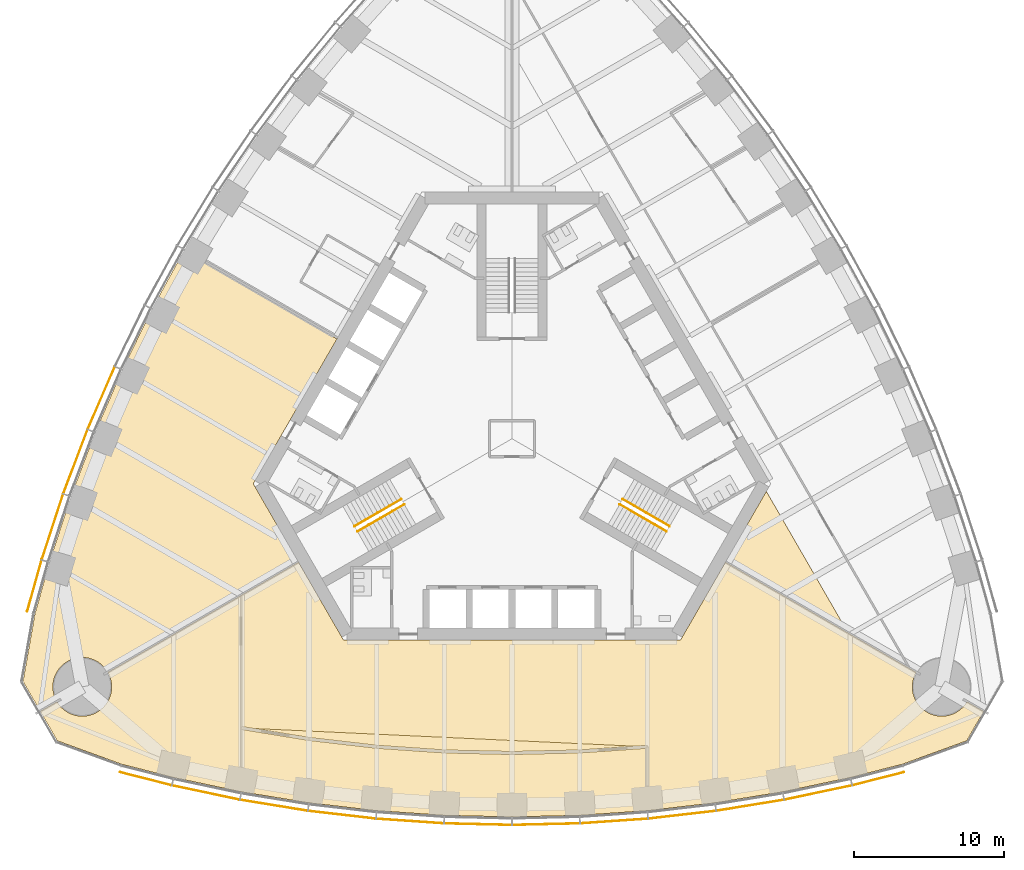
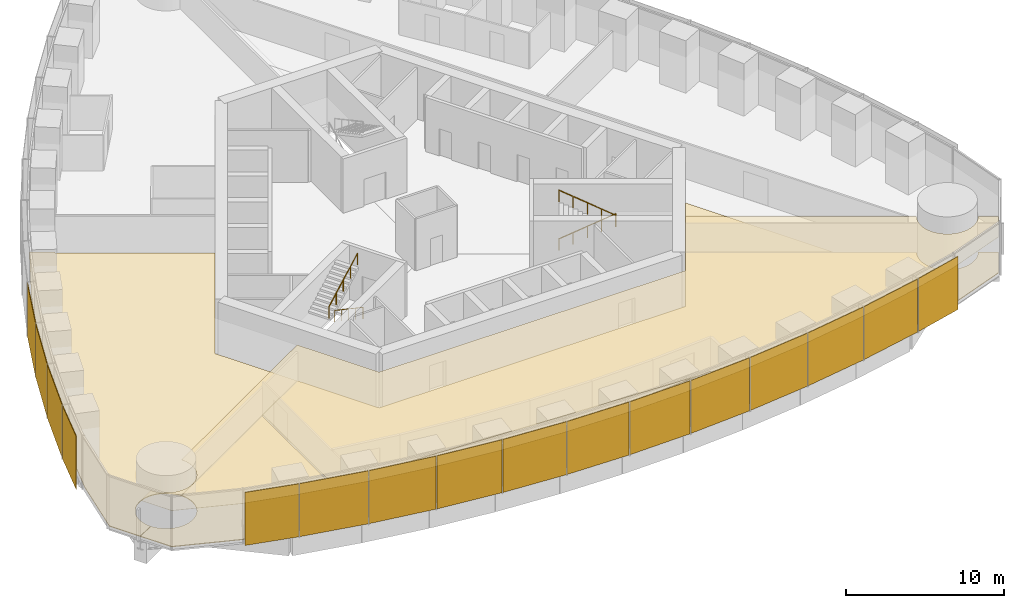
# One storey, part 14 of 18: 16 shading devices, 7 coverings, 4 railings.
"""IFC4 building model written with IfcOpenShell, lengths in metres."""

from ifc_helpers import new_model, si_unit, direction, frame, origin, origin_2d, place, context, subcontext, project, spatial, polyline, rectangle, circle, outline, extrude, material, layer, layer_set, type_object, element, save


model = new_model("IFC4")

# Units and contexts
model_context = context("Model", 3, precision=1e-05, world=origin(), true_north=direction((0.0, 1.0)))
body_context = subcontext(model_context, "Body", "Model", "MODEL_VIEW")
ifc_project = project(units=[si_unit("LENGTHUNIT", "METRE"), si_unit("AREAUNIT", "SQUARE_METRE"), si_unit("VOLUMEUNIT", "CUBIC_METRE"), si_unit("PLANEANGLEUNIT", "RADIAN"), si_unit("MASSUNIT", "GRAM", prefix="KILO")], contexts=[model_context])

# Site, building, storey
site_placement = place(None, origin())
site = spatial("IfcSite", under=ifc_project, at=site_placement, CompositionType="ELEMENT")
building_placement = place(site_placement, origin())
building = spatial("IfcBuilding", under=site, at=building_placement, Name="Trefoil Bronze Tower", CompositionType="ELEMENT")
storey_placement = place(building_placement, frame((0.0, 0.0, 198.10009765625)))
storey = spatial("IfcBuildingStorey", under=building, at=storey_placement, Name="L45", CompositionType="ELEMENT", Elevation=198.10009765625)

# Shading devices
ifc_material_1 = material(Name="Perforated bronze sheet", Category="bronze")
ifc_layer_1 = layer(ifc_material_1, 0.0400390625)
ifc_layer_set_1 = layer_set([ifc_layer_1], Name="Bronze solar screen panel")
shading_device_type = type_object("IfcShadingDeviceType", Name="Bronze solar screen panel", PredefinedType="SHUTTER", material=ifc_layer_set_1)
shading_device_1_placement = place(storey_placement, frame((-24.360107421875, -22.614501953125, 0.0498046875), z_axis=(0.0, 0.0, 1.0), x_axis=(0.968934035393, -0.247319297786, 0.0)))
element("IfcShadingDevice", 1, at=shading_device_1_placement, inside=storey, type_object=shading_device_type, Name="Solar screen CW-A L45 F1 bay 1", PredefinedType="SHUTTER", context=body_context, shape_type="SweptSolid", body=[
    extrude(rectangle(XDim=3.53369140625, YDim=0.0400390625, at=origin_2d()), origin(), (0.0, 0.0, 1.0), 4.10009765625),
])
shading_device_2_placement = place(storey_placement, frame((-20.361572265625, -23.535888671875, 0.0498046875), z_axis=(0.0, 0.0, 1.0), x_axis=(0.978394335897, -0.20674748725, 0.0)))
element("IfcShadingDevice", 2, at=shading_device_2_placement, inside=storey, type_object=shading_device_type, Name="Solar screen CW-A L45 F1 bay 2", PredefinedType="SHUTTER", context=body_context, shape_type="SweptSolid", body=[
    extrude(rectangle(XDim=4.5693359375, YDim=0.0400390625, at=origin_2d()), origin(), (0.0, 0.0, 1.0), 4.10009765625),
])
shading_device_3_placement = place(storey_placement, frame((-15.8369140625, -24.382568359375, 0.0498046875), z_axis=(0.0, 0.0, 1.0), x_axis=(0.986986549528, -0.160802832848, 0.0)))
element("IfcShadingDevice", 3, at=shading_device_3_placement, inside=storey, type_object=shading_device_type, Name="Solar screen CW-A L45 F1 bay 3", PredefinedType="SHUTTER", context=body_context, shape_type="SweptSolid", body=[
    extrude(rectangle(XDim=4.529296875, YDim=0.0400390625, at=origin_2d()), origin(), (0.0, 0.0, 1.0), 4.10009765625),
])
shading_device_4_placement = place(storey_placement, frame((-11.31201171875, -25.0126953125, 0.0498046875), z_axis=(0.0, 0.0, 1.0), x_axis=(0.993381831741, -0.114858767043, 0.0)))
element("IfcShadingDevice", 4, at=shading_device_4_placement, inside=storey, type_object=shading_device_type, Name="Solar screen CW-A L45 F1 bay 4", PredefinedType="SHUTTER", context=body_context, shape_type="SweptSolid", body=[
    extrude(rectangle(XDim=4.5, YDim=0.0400390625, at=origin_2d()), origin(), (0.0, 0.0, 1.0), 4.10009765625),
])
shading_device_5_placement = place(storey_placement, frame((-6.787109375, -25.430419921875, 0.0498046875), z_axis=(0.0, 0.0, 1.0), x_axis=(0.99762252804, -0.068915103905, 0.0)))
element("IfcShadingDevice", 5, at=shading_device_5_placement, inside=storey, type_object=shading_device_type, Name="Solar screen CW-A L45 F1 bay 5", PredefinedType="SHUTTER", context=body_context, shape_type="SweptSolid", body=[
    extrude(rectangle(XDim=4.480712890625, YDim=0.0400390625, at=origin_2d()), origin(), (0.0, 0.0, 1.0), 4.10009765625),
])
for number, where, z_axis, x_axis, name in (
    (6, (-2.262451171875, -25.638671875, 0.0498046875), (0.0, 0.0, 1.0), (0.999736116243, -0.022971675577, 0.0), "Solar screen CW-A L45 F1 bay 6"),
    (7, (2.262451171875, -25.638671875, 0.0498046875), (0.0, 0.0, 1.0), (0.999736116243, 0.022971675577, 0.0), "Solar screen CW-A L45 F1 bay 7"),
):
    element("IfcShadingDevice", number, at=place(storey_placement, frame(where, z_axis=z_axis, x_axis=x_axis)), inside=storey, type_object=shading_device_type, Name=name, PredefinedType="SHUTTER", context=body_context, shape_type="SweptSolid", body=[
        extrude(rectangle(XDim=4.47119140625, YDim=0.0400390625, at=origin_2d()), origin(), (0.0, 0.0, 1.0), 4.10009765625),
    ])
shading_device_6_placement = place(storey_placement, frame((6.787109375, -25.430419921875, 0.0498046875), z_axis=(0.0, 0.0, 1.0), x_axis=(0.99762252804, 0.068915103905, 0.0)))
element("IfcShadingDevice", 8, at=shading_device_6_placement, inside=storey, type_object=shading_device_type, Name="Solar screen CW-A L45 F1 bay 8", PredefinedType="SHUTTER", context=body_context, shape_type="SweptSolid", body=[
    extrude(rectangle(XDim=4.480712890625, YDim=0.0400390625, at=origin_2d()), origin(), (0.0, 0.0, 1.0), 4.10009765625),
])
shading_device_7_placement = place(storey_placement, frame((11.31201171875, -25.0126953125, 0.0498046875), z_axis=(0.0, 0.0, 1.0), x_axis=(0.993381831741, 0.114858767043, 0.0)))
element("IfcShadingDevice", 9, at=shading_device_7_placement, inside=storey, type_object=shading_device_type, Name="Solar screen CW-A L45 F1 bay 9", PredefinedType="SHUTTER", context=body_context, shape_type="SweptSolid", body=[
    extrude(rectangle(XDim=4.5, YDim=0.0400390625, at=origin_2d()), origin(), (0.0, 0.0, 1.0), 4.10009765625),
])
shading_device_8_placement = place(storey_placement, frame((15.8369140625, -24.382568359375, 0.0498046875), z_axis=(0.0, 0.0, 1.0), x_axis=(0.986986549528, 0.160802832848, 0.0)))
element("IfcShadingDevice", 10, at=shading_device_8_placement, inside=storey, type_object=shading_device_type, Name="Solar screen CW-A L45 F1 bay 10", PredefinedType="SHUTTER", context=body_context, shape_type="SweptSolid", body=[
    extrude(rectangle(XDim=4.529296875, YDim=0.0400390625, at=origin_2d()), origin(), (0.0, 0.0, 1.0), 4.10009765625),
])
shading_device_9_placement = place(storey_placement, frame((20.361572265625, -23.535888671875, 0.0498046875), z_axis=(0.0, 0.0, 1.0), x_axis=(0.978394335897, 0.20674748725, 0.0)))
element("IfcShadingDevice", 11, at=shading_device_9_placement, inside=storey, type_object=shading_device_type, Name="Solar screen CW-A L45 F1 bay 11", PredefinedType="SHUTTER", context=body_context, shape_type="SweptSolid", body=[
    extrude(rectangle(XDim=4.5693359375, YDim=0.0400390625, at=origin_2d()), origin(), (0.0, 0.0, 1.0), 4.10009765625),
])
shading_device_10_placement = place(storey_placement, frame((24.360107421875, -22.614501953125, 0.0498046875), z_axis=(0.0, 0.0, 1.0), x_axis=(0.968934035393, 0.247319297786, 0.0)))
element("IfcShadingDevice", 12, at=shading_device_10_placement, inside=storey, type_object=shading_device_type, Name="Solar screen CW-A L45 F1 bay 12", PredefinedType="SHUTTER", context=body_context, shape_type="SweptSolid", body=[
    extrude(rectangle(XDim=3.53369140625, YDim=0.0400390625, at=origin_2d()), origin(), (0.0, 0.0, 1.0), 4.10009765625),
])
shading_device_11_placement = place(storey_placement, frame((-27.317626953125, 2.709716796875, 0.0498046875), z_axis=(0.0, 0.0, 1.0), x_axis=(-0.397220305764, -0.917723285467, 0.0)))
element("IfcShadingDevice", 13, at=shading_device_11_placement, inside=storey, type_object=shading_device_type, Name="Solar screen CW-A L45 F3 bay 9", PredefinedType="SHUTTER", context=body_context, shape_type="SweptSolid", body=[
    extrude(rectangle(XDim=4.5, YDim=0.0400390625, at=origin_2d()), origin(), (0.0, 0.0, 1.0), 4.10009765625),
])
shading_device_12_placement = place(storey_placement, frame((-29.0341796875, -1.52392578125, 0.0498046875), z_axis=(0.0, 0.0, 1.0), x_axis=(-0.354233936517, -0.935156841508, 0.0)))
element("IfcShadingDevice", 14, at=shading_device_12_placement, inside=storey, type_object=shading_device_type, Name="Solar screen CW-A L45 F3 bay 10", PredefinedType="SHUTTER", context=body_context, shape_type="SweptSolid", body=[
    extrude(rectangle(XDim=4.529296875, YDim=0.0400390625, at=origin_2d()), origin(), (0.0, 0.0, 1.0), 4.10009765625),
])
shading_device_13_placement = place(storey_placement, frame((-30.5634765625, -5.86572265625, 0.0498046875), z_axis=(0.0, 0.0, 1.0), x_axis=(-0.310148591821, -0.950688093431, 0.0)))
element("IfcShadingDevice", 15, at=shading_device_13_placement, inside=storey, type_object=shading_device_type, Name="Solar screen CW-A L45 F3 bay 11", PredefinedType="SHUTTER", context=body_context, shape_type="SweptSolid", body=[
    extrude(rectangle(XDim=4.5693359375, YDim=0.0400390625, at=origin_2d()), origin(), (0.0, 0.0, 1.0), 4.10009765625),
])
shading_device_14_placement = place(storey_placement, frame((-31.764892578125, -9.7890625, 0.0498046875), z_axis=(0.0, 0.0, 1.0), x_axis=(-0.270282222968, -0.962781138134, 0.0)))
element("IfcShadingDevice", 16, at=shading_device_14_placement, inside=storey, type_object=shading_device_type, Name="Solar screen CW-A L45 F3 bay 12", PredefinedType="SHUTTER", context=body_context, shape_type="SweptSolid", body=[
    extrude(rectangle(XDim=3.53369140625, YDim=0.0400390625, at=origin_2d()), origin(), (0.0, 0.0, 1.0), 4.10009765625),
])

# Railings
ifc_material_2 = material(Name="Steel handrail", Category="steel")
railing_type = type_object("IfcRailingType", Name="Handrail 900", PredefinedType="HANDRAIL", material=ifc_material_2)
railing_1_placement = place(storey_placement, frame((7.365966796875, -4.021728515625, 0.161376953125)))
element("IfcRailing", 17, at=railing_1_placement, inside=storey, type_object=railing_type, Name="Handrail ST1 flight 1 L45", PredefinedType="HANDRAIL", context=body_context, shape_type="SweptSolid", body=[
    extrude(circle(Radius=0.02392578125, at=origin_2d()), frame((0.0, 0.0, 0.8759765625), z_axis=(0.76250339821, -0.440245697338, 0.474101564745), x_axis=(0.500012057535, 0.866018442252, 0.0)), (0.0, 0.0, 1.0), 4.088623046875),
    extrude(circle(Radius=0.02099609375, at=origin_2d()), origin(), (0.0, 0.0, 1.0), 0.851806640625),
    extrude(circle(Radius=0.02099609375, at=origin_2d()), frame((0.779296875, -0.449951171875, 0.484619140625)), (0.0, 0.0, 1.0), 0.851806640625),
    extrude(circle(Radius=0.02099609375, at=origin_2d()), frame((1.558837890625, -0.89990234375, 0.96923828125)), (0.0, 0.0, 1.0), 0.851806640625),
    extrude(circle(Radius=0.02099609375, at=origin_2d()), frame((2.33837890625, -1.35009765625, 1.453857421875)), (0.0, 0.0, 1.0), 0.851806640625),
    extrude(circle(Radius=0.02099609375, at=origin_2d()), frame((3.11767578125, -1.800048828125, 1.9384765625)), (0.0, 0.0, 1.0), 0.851806640625),
])
railing_2_placement = place(storey_placement, frame((10.28369140625, -6.168212890625, 2.261474609375)))
element("IfcRailing", 18, at=railing_2_placement, inside=storey, type_object=railing_type, Name="Handrail ST1 flight 2 L45", PredefinedType="HANDRAIL", context=body_context, shape_type="SweptSolid", body=[
    extrude(circle(Radius=0.02392578125, at=origin_2d()), frame((0.0, 0.0, 0.8759765625), z_axis=(-0.76250339821, 0.440245697338, 0.474101564745), x_axis=(-0.500012057535, -0.866018442252, 0.0)), (0.0, 0.0, 1.0), 4.088623046875),
    extrude(circle(Radius=0.02099609375, at=origin_2d()), origin(), (0.0, 0.0, 1.0), 0.851806640625),
    extrude(circle(Radius=0.02099609375, at=origin_2d()), frame((-0.779296875, 0.449951171875, 0.484619140625)), (0.0, 0.0, 1.0), 0.851806640625),
    extrude(circle(Radius=0.02099609375, at=origin_2d()), frame((-1.558837890625, 0.89990234375, 0.96923828125)), (0.0, 0.0, 1.0), 0.851806640625),
    extrude(circle(Radius=0.02099609375, at=origin_2d()), frame((-2.33837890625, 1.35009765625, 1.453857421875)), (0.0, 0.0, 1.0), 0.851806640625),
    extrude(circle(Radius=0.02099609375, at=origin_2d()), frame((-3.11767578125, 1.800048828125, 1.9384765625)), (0.0, 0.0, 1.0), 0.851806640625),
])
railing_3_placement = place(storey_placement, frame((-7.166015625, -4.3681640625, 0.161376953125)))
element("IfcRailing", 19, at=railing_3_placement, inside=storey, type_object=railing_type, Name="Handrail ST3 flight 1 L45", PredefinedType="HANDRAIL", context=body_context, shape_type="SweptSolid", body=[
    extrude(circle(Radius=0.02392578125, at=origin_2d()), frame((0.0, 0.0, 0.8759765625), z_axis=(-0.76250339821, -0.440245697338, 0.474101564745), x_axis=(0.500012057535, -0.866018442252, 0.0)), (0.0, 0.0, 1.0), 4.088623046875),
    extrude(circle(Radius=0.02099609375, at=origin_2d()), origin(), (0.0, 0.0, 1.0), 0.851806640625),
    extrude(circle(Radius=0.02099609375, at=origin_2d()), frame((-0.779296875, -0.449951171875, 0.484619140625)), (0.0, 0.0, 1.0), 0.851806640625),
    extrude(circle(Radius=0.02099609375, at=origin_2d()), frame((-1.558837890625, -0.89990234375, 0.96923828125)), (0.0, 0.0, 1.0), 0.851806640625),
    extrude(circle(Radius=0.02099609375, at=origin_2d()), frame((-2.33837890625, -1.35009765625, 1.453857421875)), (0.0, 0.0, 1.0), 0.851806640625),
    extrude(circle(Radius=0.02099609375, at=origin_2d()), frame((-3.11767578125, -1.800048828125, 1.9384765625)), (0.0, 0.0, 1.0), 0.851806640625),
])
railing_4_placement = place(storey_placement, frame((-10.483642578125, -5.82177734375, 2.261474609375)))
element("IfcRailing", 20, at=railing_4_placement, inside=storey, type_object=railing_type, Name="Handrail ST3 flight 2 L45", PredefinedType="HANDRAIL", context=body_context, shape_type="SweptSolid", body=[
    extrude(circle(Radius=0.02392578125, at=origin_2d()), frame((0.0, 0.0, 0.8759765625), z_axis=(0.76250339821, 0.440245697338, 0.474101564745), x_axis=(-0.500012057535, 0.866018442252, 0.0)), (0.0, 0.0, 1.0), 4.088623046875),
    extrude(circle(Radius=0.02099609375, at=origin_2d()), origin(), (0.0, 0.0, 1.0), 0.851806640625),
    extrude(circle(Radius=0.02099609375, at=origin_2d()), frame((0.779296875, 0.449951171875, 0.484619140625)), (0.0, 0.0, 1.0), 0.851806640625),
    extrude(circle(Radius=0.02099609375, at=origin_2d()), frame((1.558837890625, 0.89990234375, 0.96923828125)), (0.0, 0.0, 1.0), 0.851806640625),
    extrude(circle(Radius=0.02099609375, at=origin_2d()), frame((2.33837890625, 1.35009765625, 1.453857421875)), (0.0, 0.0, 1.0), 0.851806640625),
    extrude(circle(Radius=0.02099609375, at=origin_2d()), frame((3.11767578125, 1.800048828125, 1.9384765625)), (0.0, 0.0, 1.0), 0.851806640625),
])

# Coverings
ifc_material_3 = material(Name="Acoustic ceiling panels", Category="mineral fibre")
ifc_layer_2 = layer(ifc_material_3, 0.02001953125)
ifc_layer_set_2 = layer_set([ifc_layer_2], Name="Office ceiling 20")
covering_type_1 = type_object("IfcCoveringType", Name="Office ceiling 20", PredefinedType="CEILING", material=ifc_layer_set_2)
covering_1_placement = place(storey_placement, frame((0.0, 0.0, 2.89990234375)))
element("IfcCovering", 21, at=covering_1_placement, inside=storey, type_object=covering_type_1, Name="Ceiling L45 Open-plan office F1", PredefinedType="CEILING", context=body_context, shape_type="SweptSolid", body=[
    extrude(outline(polyline([(-30.2001953125, -17.58349609375), (-30.14501953125, -17.66162109375), (-30.086181640625, -17.737060546875), (-30.023681640625, -17.8095703125), (-29.957763671875, -17.87890625), (-29.888427734375, -17.94482421875), (-29.81591796875, -18.00732421875), (-29.740478515625, -18.06640625), (-29.662109375, -18.121337890625), (-29.581298828125, -18.172607421875), (-29.498046875, -18.2197265625), (-29.41259765625, -18.2626953125), (-29.3251953125, -18.301513671875), (-29.23583984375, -18.3359375), (-29.14501953125, -18.365966796875), (-29.052490234375, -18.3916015625), (-28.959228515625, -18.41259765625), (-28.864990234375, -18.428955078125), (-28.77001953125, -18.440673828125), (-28.674560546875, -18.44775390625), (-28.578857421875, -18.449951171875), (-28.483154296875, -18.44775390625), (-28.3876953125, -18.440673828125), (-28.292724609375, -18.428955078125), (-28.198486328125, -18.41259765625), (-28.10498046875, -18.3916015625), (-28.0126953125, -18.365966796875), (-27.921875, -18.3359375), (-27.83251953125, -18.301513671875), (-27.7451171875, -18.2626953125), (-27.65966796875, -18.2197265625), (-27.576416015625, -18.172607421875), (-27.49560546875, -18.121337890625), (-27.417236328125, -18.06640625), (-27.341796875, -18.00732421875), (-27.269287109375, -17.94482421875), (-27.199951171875, -17.87890625), (-27.134033203125, -17.8095703125), (-27.071533203125, -17.737060546875), (-27.0126953125, -17.66162109375), (-26.95751953125, -17.58349609375), (-26.90625, -17.50244140625), (-26.859130859375, -17.419189453125), (-26.816162109375, -17.333740234375), (-26.77734375, -17.24609375), (-26.742919921875, -17.156982421875), (-26.712890625, -17.066162109375), (-26.687255859375, -16.973876953125), (-26.666259765625, -16.88037109375), (-26.64990234375, -16.7861328125), (-26.63818359375, -16.691162109375), (-26.631103515625, -16.595703125), (-26.62890625, -16.5), (-26.631103515625, -16.404296875), (-26.63818359375, -16.308837890625), (-26.64990234375, -16.2138671875), (-26.666259765625, -16.11962890625), (-26.687255859375, -16.026123046875), (-26.712890625, -15.933837890625), (-26.742919921875, -15.843017578125), (-26.77734375, -15.75390625), (-26.816162109375, -15.666259765625), (-26.859130859375, -15.580810546875), (-26.884765625, -15.535400390625), (-14.19970703125, -8.205322265625), (-11.20068359375, -13.39990234375), (11.20068359375, -13.39990234375), (14.19970703125, -8.205322265625), (26.884765625, -15.535400390625), (26.859130859375, -15.580810546875), (26.816162109375, -15.666259765625), (26.77734375, -15.75390625), (26.742919921875, -15.843017578125), (26.712890625, -15.933837890625), (26.687255859375, -16.026123046875), (26.666259765625, -16.11962890625), (26.64990234375, -16.2138671875), (26.63818359375, -16.308837890625), (26.631103515625, -16.404296875), (26.62890625, -16.5), (26.631103515625, -16.595703125), (26.63818359375, -16.691162109375), (26.64990234375, -16.7861328125), (26.666259765625, -16.88037109375), (26.687255859375, -16.973876953125), (26.712890625, -17.066162109375), (26.742919921875, -17.156982421875), (26.77734375, -17.24609375), (26.816162109375, -17.333740234375), (26.859130859375, -17.419189453125), (26.90625, -17.50244140625), (26.95751953125, -17.58349609375), (27.0126953125, -17.66162109375), (27.071533203125, -17.737060546875), (27.134033203125, -17.8095703125), (27.199951171875, -17.87890625), (27.269287109375, -17.94482421875), (27.341796875, -18.00732421875), (27.417236328125, -18.06640625), (27.49560546875, -18.121337890625), (27.576416015625, -18.172607421875), (27.65966796875, -18.2197265625), (27.7451171875, -18.2626953125), (27.83251953125, -18.301513671875), (27.921875, -18.3359375), (28.0126953125, -18.365966796875), (28.10498046875, -18.3916015625), (28.198486328125, -18.41259765625), (28.292724609375, -18.428955078125), (28.3876953125, -18.440673828125), (28.483154296875, -18.44775390625), (28.578857421875, -18.449951171875), (28.674560546875, -18.44775390625), (28.77001953125, -18.440673828125), (28.864990234375, -18.428955078125), (28.959228515625, -18.41259765625), (29.052490234375, -18.3916015625), (29.14501953125, -18.365966796875), (29.23583984375, -18.3359375), (29.3251953125, -18.301513671875), (29.41259765625, -18.2626953125), (29.498046875, -18.2197265625), (29.581298828125, -18.172607421875), (29.662109375, -18.121337890625), (29.740478515625, -18.06640625), (29.81591796875, -18.00732421875), (29.888427734375, -17.94482421875), (29.957763671875, -17.87890625), (30.023681640625, -17.8095703125), (30.086181640625, -17.737060546875), (30.14501953125, -17.66162109375), (30.2001953125, -17.58349609375), (30.2607421875, -17.486083984375), (31.37158203125, -18.1279296875), (30.23828125, -20.0908203125), (25.952880859375, -21.650634765625), (22.5, -22.531982421875), (18.0, -23.48291015625), (13.5, -24.216064453125), (9.0, -24.736328125), (4.5, -25.047119140625), (0.0, -25.150634765625), (-4.5, -25.047119140625), (-9.0, -24.736328125), (-13.5, -24.216064453125), (-18.0, -23.48291015625), (-22.5, -22.531982421875), (-25.952880859375, -21.650634765625), (-30.23828125, -20.0908203125), (-31.37158203125, -18.1279296875), (-30.2607421875, -17.486083984375), (-30.2001953125, -17.58349609375)])), origin(), (0.0, 0.0, 1.0), 0.02001953125),
])
ifc_material_4 = material(Name="Raised access floor panels", Category="steel")
ifc_layer_3 = layer(ifc_material_4, 0.050048828125)
ifc_layer_set_3 = layer_set([ifc_layer_3], Name="Raised access floor 150")
covering_type_2 = type_object("IfcCoveringType", Name="Raised access floor 150", PredefinedType="FLOORING", material=ifc_layer_set_3)
covering_2_placement = place(storey_placement, frame((0.0, 0.0, 0.099853515625)))
element("IfcCovering", 22, at=covering_2_placement, inside=storey, type_object=covering_type_2, Name="Raised floor L45 Cafe and kitchen F1", PredefinedType="FLOORING", context=body_context, shape_type="SweptSolid", body=[
    extrude(outline(polyline([(-26.884765625, -15.535400390625), (-18.0, -10.4013671875), (-18.0, -10.451416015625), (-18.06005859375, -10.451416015625), (-18.06005859375, -21.82470703125), (-18.0, -21.82470703125), (-18.0, -23.48291015625), (-22.5, -22.531982421875), (-25.952880859375, -21.650634765625), (-30.23828125, -20.0908203125), (-31.37158203125, -18.1279296875), (-30.2607421875, -17.486083984375), (-30.2001953125, -17.58349609375), (-30.14501953125, -17.66162109375), (-30.086181640625, -17.737060546875), (-30.023681640625, -17.8095703125), (-29.957763671875, -17.87890625), (-29.888427734375, -17.94482421875), (-29.81591796875, -18.00732421875), (-29.740478515625, -18.06640625), (-29.662109375, -18.121337890625), (-29.581298828125, -18.172607421875), (-29.498046875, -18.2197265625), (-29.41259765625, -18.2626953125), (-29.3251953125, -18.301513671875), (-29.23583984375, -18.3359375), (-29.14501953125, -18.365966796875), (-29.052490234375, -18.3916015625), (-28.959228515625, -18.41259765625), (-28.864990234375, -18.428955078125), (-28.77001953125, -18.440673828125), (-28.674560546875, -18.44775390625), (-28.578857421875, -18.449951171875), (-28.483154296875, -18.44775390625), (-28.3876953125, -18.440673828125), (-28.292724609375, -18.428955078125), (-28.198486328125, -18.41259765625), (-28.10498046875, -18.3916015625), (-28.0126953125, -18.365966796875), (-27.921875, -18.3359375), (-27.83251953125, -18.301513671875), (-27.7451171875, -18.2626953125), (-27.65966796875, -18.2197265625), (-27.576416015625, -18.172607421875), (-27.49560546875, -18.121337890625), (-27.417236328125, -18.06640625), (-27.341796875, -18.00732421875), (-27.269287109375, -17.94482421875), (-27.199951171875, -17.87890625), (-27.134033203125, -17.8095703125), (-27.071533203125, -17.737060546875), (-27.0126953125, -17.66162109375), (-26.95751953125, -17.58349609375), (-26.90625, -17.50244140625), (-26.859130859375, -17.419189453125), (-26.816162109375, -17.333740234375), (-26.77734375, -17.24609375), (-26.742919921875, -17.156982421875), (-26.712890625, -17.066162109375), (-26.687255859375, -16.973876953125), (-26.666259765625, -16.88037109375), (-26.64990234375, -16.7861328125), (-26.63818359375, -16.691162109375), (-26.631103515625, -16.595703125), (-26.62890625, -16.5), (-26.631103515625, -16.404296875), (-26.63818359375, -16.308837890625), (-26.64990234375, -16.2138671875), (-26.666259765625, -16.11962890625), (-26.687255859375, -16.026123046875), (-26.712890625, -15.933837890625), (-26.742919921875, -15.843017578125), (-26.77734375, -15.75390625), (-26.816162109375, -15.666259765625), (-26.859130859375, -15.580810546875), (-26.884765625, -15.535400390625)])), origin(), (0.0, 0.0, 1.0), 0.050048828125),
])
covering_3_placement = place(storey_placement, frame((0.0, 0.0, 0.099853515625)))
element("IfcCovering", 23, at=covering_3_placement, inside=storey, type_object=covering_type_2, Name="Raised floor L45 Town hall F1", PredefinedType="FLOORING", context=body_context, shape_type="SweptSolid", body=[
    extrude(outline(polyline([(-13.5, -24.216064453125), (-18.0, -23.48291015625), (-18.0, -21.82470703125), (-17.93994140625, -21.82470703125), (-17.93994140625, -19.343994140625), (-13.51611328125, -20.064697265625), (-13.5, -19.966064453125), (-13.511474609375, -20.0654296875), (-9.011474609375, -20.585693359375), (-9.0, -20.486328125), (-9.0068359375, -20.586181640625), (-4.5068359375, -20.89697265625), (-4.5, -20.797119140625), (-4.502197265625, -20.897216796875), (-0.002197265625, -21.00048828125), (0.0, -20.900634765625), (0.002197265625, -21.00048828125), (4.502197265625, -20.897216796875), (4.5, -20.797119140625), (4.5068359375, -20.89697265625), (8.89990234375, -20.593505859375), (8.89990234375, -23.099609375), (9.0, -23.099609375), (9.0, -24.736328125), (4.5, -25.047119140625), (0.0, -25.150634765625), (-4.5, -25.047119140625), (-9.0, -24.736328125), (-13.5, -24.216064453125)])), origin(), (0.0, 0.0, 1.0), 0.050048828125),
])
covering_4_placement = place(storey_placement, frame((0.0, 0.0, 0.099853515625)))
element("IfcCovering", 24, at=covering_4_placement, inside=storey, type_object=covering_type_2, Name="Raised floor L45 Town hall F1", PredefinedType="FLOORING", context=body_context, shape_type="SweptSolid", body=[
    extrude(outline(polyline([(8.132080078125, -20.446044921875), (4.495361328125, -20.697265625), (0.0, -20.800537109375), (-4.495361328125, -20.697265625), (-8.99072265625, -20.38671875), (-13.486083984375, -19.866943359375), (-17.13037109375, -19.273193359375), (8.132080078125, -20.446044921875)])), origin(), (0.0, 0.0, 1.0), 0.050048828125),
])
covering_5_placement = place(storey_placement, frame((0.0, 0.0, 0.099853515625)))
element("IfcCovering", 25, at=covering_5_placement, inside=storey, type_object=covering_type_2, Name="Raised floor L45 Open-plan office F1", PredefinedType="FLOORING", context=body_context, shape_type="SweptSolid", body=[
    extrude(outline(polyline([(-14.19970703125, -8.205322265625), (-11.20068359375, -13.39990234375), (11.20068359375, -13.39990234375), (14.19970703125, -8.205322265625), (26.884765625, -15.535400390625), (26.859130859375, -15.580810546875), (26.816162109375, -15.666259765625), (26.77734375, -15.75390625), (26.742919921875, -15.843017578125), (26.712890625, -15.933837890625), (26.687255859375, -16.026123046875), (26.666259765625, -16.11962890625), (26.64990234375, -16.2138671875), (26.63818359375, -16.308837890625), (26.631103515625, -16.404296875), (26.62890625, -16.5), (26.631103515625, -16.595703125), (26.63818359375, -16.691162109375), (26.64990234375, -16.7861328125), (26.666259765625, -16.88037109375), (26.687255859375, -16.973876953125), (26.712890625, -17.066162109375), (26.742919921875, -17.156982421875), (26.77734375, -17.24609375), (26.816162109375, -17.333740234375), (26.859130859375, -17.419189453125), (26.90625, -17.50244140625), (26.95751953125, -17.58349609375), (27.0126953125, -17.66162109375), (27.071533203125, -17.737060546875), (27.134033203125, -17.8095703125), (27.199951171875, -17.87890625), (27.269287109375, -17.94482421875), (27.341796875, -18.00732421875), (27.417236328125, -18.06640625), (27.49560546875, -18.121337890625), (27.576416015625, -18.172607421875), (27.65966796875, -18.2197265625), (27.7451171875, -18.2626953125), (27.83251953125, -18.301513671875), (27.921875, -18.3359375), (28.0126953125, -18.365966796875), (28.10498046875, -18.3916015625), (28.198486328125, -18.41259765625), (28.292724609375, -18.428955078125), (28.3876953125, -18.440673828125), (28.483154296875, -18.44775390625), (28.578857421875, -18.449951171875), (28.674560546875, -18.44775390625), (28.77001953125, -18.440673828125), (28.864990234375, -18.428955078125), (28.959228515625, -18.41259765625), (29.052490234375, -18.3916015625), (29.14501953125, -18.365966796875), (29.23583984375, -18.3359375), (29.3251953125, -18.301513671875), (29.41259765625, -18.2626953125), (29.498046875, -18.2197265625), (29.581298828125, -18.172607421875), (29.662109375, -18.121337890625), (29.740478515625, -18.06640625), (29.81591796875, -18.00732421875), (29.888427734375, -17.94482421875), (29.957763671875, -17.87890625), (30.023681640625, -17.8095703125), (30.086181640625, -17.737060546875), (30.14501953125, -17.66162109375), (30.2001953125, -17.58349609375), (30.2607421875, -17.486083984375), (31.37158203125, -18.1279296875), (30.23828125, -20.0908203125), (25.952880859375, -21.650634765625), (22.5, -22.531982421875), (18.0, -23.48291015625), (13.5, -24.216064453125), (9.0, -24.736328125), (9.0, -23.099609375), (9.10009765625, -23.099609375), (9.10009765625, -20.486328125), (9.0, -20.486328125), (8.9931640625, -20.38671875), (8.132080078125, -20.446044921875), (-17.13037109375, -19.273193359375), (-17.93994140625, -19.141357421875), (-17.93994140625, -10.451416015625), (-18.0, -10.451416015625), (-18.0, -10.4013671875), (-14.19970703125, -8.205322265625)])), origin(), (0.0, 0.0, 1.0), 0.050048828125),
])
covering_6_placement = place(storey_placement, frame((0.0, 0.0, 0.099853515625)))
element("IfcCovering", 26, at=covering_6_placement, inside=storey, type_object=covering_type_2, Name="Raised floor L45 Open-plan office F2", PredefinedType="FLOORING", context=body_context, shape_type="SweptSolid", body=[
    extrude(outline(polyline([(16.91650390625, -3.5), (22.333740234375, -12.88330078125), (14.205810546875, -8.194580078125), (16.91650390625, -3.5)])), origin(), (0.0, 0.0, 1.0), 0.050048828125),
])
covering_7_placement = place(storey_placement, frame((0.0, 0.0, 0.099853515625)))
element("IfcCovering", 27, at=covering_7_placement, inside=storey, type_object=covering_type_2, Name="Raised floor L45 Open-plan office F3", PredefinedType="FLOORING", context=body_context, shape_type="SweptSolid", body=[
    extrude(outline(polyline([(-25.92236328125, 4.573974609375), (-23.94140625, 8.62646484375), (-21.781494140625, 12.574462890625), (-20.3701171875, 11.759521484375), (-20.406982421875, 11.6953125), (-11.65087890625, 6.639892578125), (-11.614013671875, 6.7041015625), (-11.605224609375, 6.69921875), (-17.205078125, -3.0), (-14.205810546875, -8.194580078125), (-26.896240234375, -15.51513671875), (-26.95751953125, -15.41650390625), (-27.0126953125, -15.33837890625), (-27.071533203125, -15.262939453125), (-27.134033203125, -15.1904296875), (-27.199951171875, -15.12109375), (-27.269287109375, -15.05517578125), (-27.341796875, -14.99267578125), (-27.417236328125, -14.93359375), (-27.49560546875, -14.878662109375), (-27.576416015625, -14.827392578125), (-27.65966796875, -14.7802734375), (-27.7451171875, -14.7373046875), (-27.83251953125, -14.698486328125), (-27.921875, -14.6640625), (-28.0126953125, -14.634033203125), (-28.10498046875, -14.6083984375), (-28.198486328125, -14.58740234375), (-28.292724609375, -14.571044921875), (-28.3876953125, -14.559326171875), (-28.483154296875, -14.55224609375), (-28.578857421875, -14.550048828125), (-28.674560546875, -14.55224609375), (-28.77001953125, -14.559326171875), (-28.864990234375, -14.571044921875), (-28.959228515625, -14.58740234375), (-29.052490234375, -14.6083984375), (-29.14501953125, -14.634033203125), (-29.23583984375, -14.6640625), (-29.3251953125, -14.698486328125), (-29.41259765625, -14.7373046875), (-29.498046875, -14.7802734375), (-29.581298828125, -14.827392578125), (-29.662109375, -14.878662109375), (-29.740478515625, -14.93359375), (-29.81591796875, -14.99267578125), (-29.888427734375, -15.05517578125), (-29.957763671875, -15.12109375), (-30.023681640625, -15.1904296875), (-30.086181640625, -15.262939453125), (-30.14501953125, -15.33837890625), (-30.2001953125, -15.41650390625), (-30.25146484375, -15.49755859375), (-30.298583984375, -15.580810546875), (-30.341552734375, -15.666259765625), (-30.38037109375, -15.75390625), (-30.414794921875, -15.843017578125), (-30.44482421875, -15.933837890625), (-30.470458984375, -16.026123046875), (-30.491455078125, -16.11962890625), (-30.5078125, -16.2138671875), (-30.519287109375, -16.308837890625), (-30.526611328125, -16.404296875), (-30.52880859375, -16.5), (-30.526611328125, -16.595703125), (-30.519287109375, -16.691162109375), (-30.5078125, -16.7861328125), (-30.491455078125, -16.88037109375), (-30.470458984375, -16.973876953125), (-30.44482421875, -17.066162109375), (-30.414794921875, -17.156982421875), (-30.38037109375, -17.24609375), (-30.341552734375, -17.333740234375), (-30.298583984375, -17.419189453125), (-30.273681640625, -17.46337890625), (-31.385009765625, -18.1044921875), (-32.518310546875, -16.1416015625), (-31.7265625, -11.650634765625), (-30.76318359375, -8.219482421875), (-29.3369140625, -3.846923828125), (-27.7216796875, 0.416748046875), (-25.92236328125, 4.573974609375)])), origin(), (0.0, 0.0, 1.0), 0.050048828125),
])

save(model, "model.ifc")
